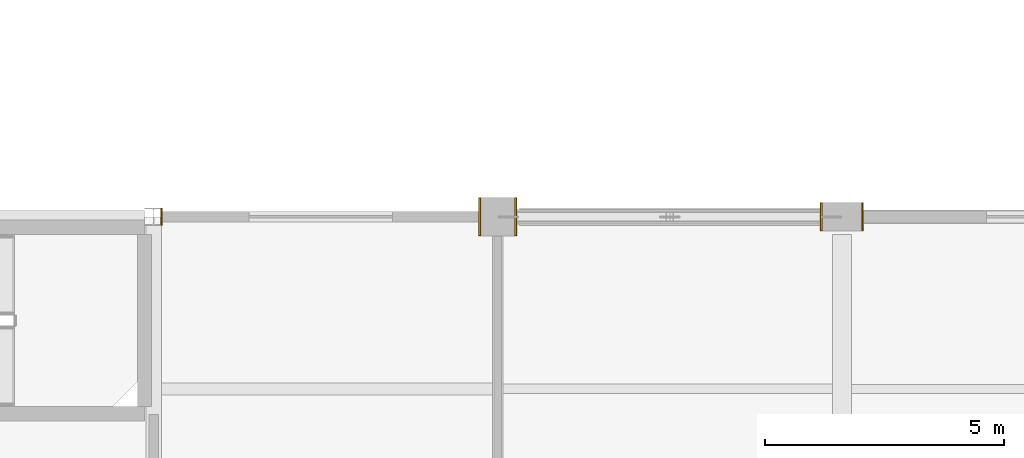
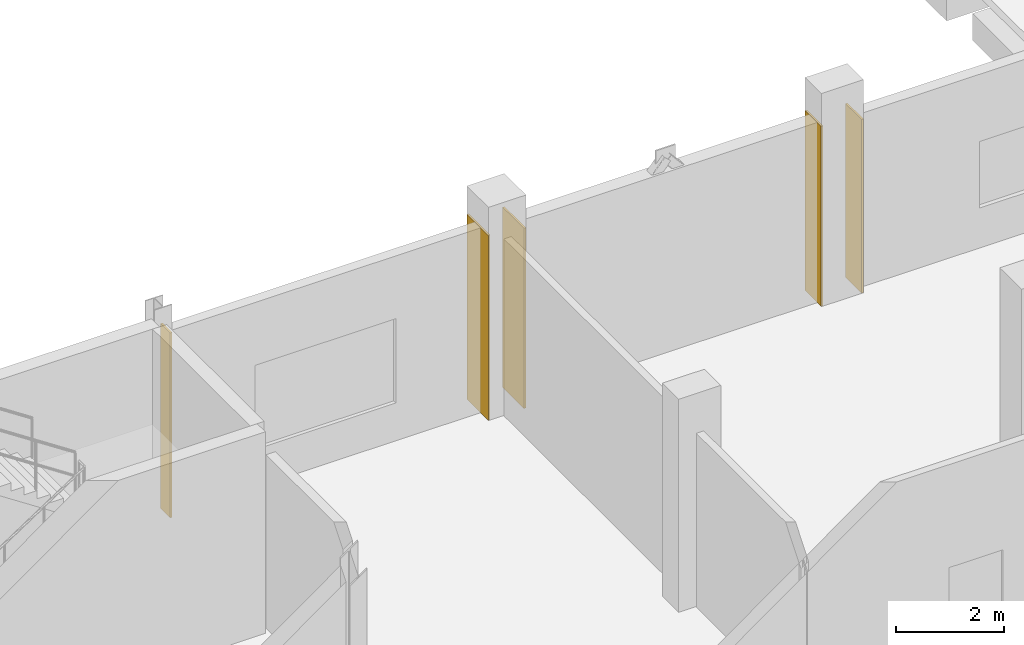
# One storey, part 182 of 186: 5 coverings.
"""IFC4 building model written with IfcOpenShell, lengths in metres."""

import ifcopenshell
import ifcopenshell.guid

model = None  # the IFC model being written
_history = None  # IfcOwnerHistory: only IFC2X3 demands one
_inside = {}  # id of a spatial element -> (the spatial element, [elements in it])
_under = {}  # id of a project, library or spatial element -> (it, [spatial elements below it])
_declared = {}  # id of a project -> (the project, [libraries it declares])
_typed = {}  # id of a type object -> (the type object, [elements of that type])
_made_of = {}  # id of a material, layer set ... -> (it, [elements and type objects made of it])


def new_model(schema):
    """Start an empty IFC model of exactly this schema.

    Asked for "IFC4X3", IfcOpenShell would pick the latest addendum, in which some entities
    have other attributes; the version numbers below select the first issue.
    IFC2X3 requires an IfcOwnerHistory on every rooted entity: one is made here for all.
    """
    global model, _history
    if schema == "IFC4X3":
        model = ifcopenshell.file(schema_version=(4, 3, 0, 0))
    else:
        model = ifcopenshell.file(schema=schema)
    _inside.clear()
    _under.clear()
    _declared.clear()
    _typed.clear()
    _made_of.clear()
    _history = None
    if model.schema == "IFC2X3":
        org = make("IfcOrganization", Name="unknown")
        user = make(
            "IfcPersonAndOrganization",
            ThePerson=make("IfcPerson", FamilyName="unknown"),
            TheOrganization=org,
        )
        app = make(
            "IfcApplication",
            ApplicationDeveloper=org,
            Version="unknown",
            ApplicationFullName="unknown",
            ApplicationIdentifier="unknown",
        )
        _history = make(
            "IfcOwnerHistory",
            OwningUser=user,
            OwningApplication=app,
            ChangeAction="ADDED",
            CreationDate=0,
        )
    return model


def make(cls, **values):
    """One entity of the class cls with the attributes given. An attribute that is None is left unset."""
    return model.create_entity(
        cls, **{name: value for name, value in values.items() if value is not None}
    )


def rooted(cls, **values):
    """An entity with a GlobalId (a new one), such as an element, a storey or a relation."""
    return make(cls, GlobalId=ifcopenshell.guid.new(), OwnerHistory=_history, **values)


def si_unit(unit_type, name, prefix=None):
    """IfcSIUnit, for example si_unit("LENGTHUNIT", "METRE", prefix="MILLI")."""
    return make("IfcSIUnit", UnitType=unit_type, Prefix=prefix, Name=name)


def assignment(units):
    """IfcUnitAssignment: the units of a project."""
    return None if units is None else make("IfcUnitAssignment", Units=units)


def point(xyz):
    """IfcCartesianPoint."""
    return None if xyz is None else make("IfcCartesianPoint", Coordinates=xyz)


def direction(xyz):
    """IfcDirection."""
    return None if xyz is None else make("IfcDirection", DirectionRatios=xyz)


def frame(location, z_axis=None, x_axis=None):
    """IfcAxis2Placement3D, a coordinate frame: its origin and axes. An axis left out is left unset."""
    return make(
        "IfcAxis2Placement3D",
        Location=point(location),
        Axis=direction(z_axis),
        RefDirection=direction(x_axis),
    )


def origin():
    """The frame at (0, 0, 0) with its axes left unset."""
    return frame((0.0, 0.0, 0.0))


def place(relative_to, where):
    """IfcLocalPlacement: puts the frame where relative to a parent placement (None: the world)."""
    return make(
        "IfcLocalPlacement", PlacementRelTo=relative_to, RelativePlacement=where
    )


def context(
    kind, dimensions, precision=None, world=None, true_north=None, identifier=None
):
    """IfcGeometricRepresentationContext, for example the 3D "Model" context."""
    return make(
        "IfcGeometricRepresentationContext",
        ContextIdentifier=identifier,
        ContextType=kind,
        CoordinateSpaceDimension=dimensions,
        Precision=precision,
        WorldCoordinateSystem=world,
        TrueNorth=true_north,
    )


def subcontext(parent, identifier, kind, view, scale=None):
    """IfcGeometricRepresentationSubContext, for example "Body" below "Model"."""
    return make(
        "IfcGeometricRepresentationSubContext",
        ContextIdentifier=identifier,
        ContextType=kind,
        ParentContext=parent,
        TargetScale=scale,
        TargetView=view,
    )


def project(units=None, contexts=None):
    """IfcProject with its units and contexts."""
    return rooted(
        "IfcProject",
        Name="project",
        RepresentationContexts=contexts,
        UnitsInContext=assignment(units),
    )


def spatial(cls, under=None, at=None, **own):
    """A site, building, storey or space (cls), placed at a placement, below another one or the project."""
    s = rooted(cls, ObjectPlacement=at, **own)
    if under is not None:
        _under.setdefault(under.id(), (under, []))[1].append(s)
    return s


def polyline(points):
    """IfcPolyline through the points."""
    return make("IfcPolyline", Points=[point(p) for p in points])


def outline(outer, holes=None, kind="AREA"):
    """IfcArbitraryClosedProfileDef: a profile drawn as a closed curve; with holes, ...WithVoids."""
    if holes is None:
        return make("IfcArbitraryClosedProfileDef", ProfileType=kind, OuterCurve=outer)
    return make(
        "IfcArbitraryProfileDefWithVoids",
        ProfileType=kind,
        OuterCurve=outer,
        InnerCurves=holes,
    )


def extrude(swept, where, along, depth):
    """IfcExtrudedAreaSolid: the profile swept, set in the frame where, extruded along a direction by depth."""
    return make(
        "IfcExtrudedAreaSolid",
        SweptArea=swept,
        Position=where,
        ExtrudedDirection=direction(along),
        Depth=depth,
    )


def shape(context_of_items, identifier, shape_type, items):
    """IfcShapeRepresentation: the items that make up one representation, for example the "Body"."""
    return make(
        "IfcShapeRepresentation",
        ContextOfItems=context_of_items,
        RepresentationIdentifier=identifier,
        RepresentationType=shape_type,
        Items=items,
    )


def material(Name=None, Category=None):
    """IfcMaterial."""
    return make("IfcMaterial", Name=Name, Category=Category)


def layer(
    of_material, thickness, ventilated=None, Name=None, Category=None, Priority=None
):
    """IfcMaterialLayer: one layer of a wall or slab, of a material (None: an air gap)."""
    return make(
        "IfcMaterialLayer",
        Material=of_material,
        LayerThickness=thickness,
        IsVentilated=ventilated,
        Name=Name,
        Category=Category,
        Priority=Priority,
    )


def layer_set(layers, Name=None):
    """IfcMaterialLayerSet."""
    return make("IfcMaterialLayerSet", MaterialLayers=layers, LayerSetName=Name)


def made_of(thing, what):
    """Note that an element or type object is made of a material, layer set ...; save() writes the relation."""
    if what is not None:
        _made_of.setdefault(what.id(), (what, []))[1].append(thing)
    return thing


def type_object(cls, material=None, **own):
    """A type object (cls), such as IfcWallType, which elements share."""
    return made_of(rooted(cls, **own), material)


def element(
    cls,
    number,
    at=None,
    inside=None,
    cuts=None,
    type_object=None,
    material=None,
    context=None,
    identifier="Body",
    shape_type=None,
    held_by="IfcProductDefinitionShape",
    body=None,
    shapes=None,
    **own,
):
    """One element of the class cls, such as IfcWall. Its Tag is "e" and its number.

    at: its placement. inside: the storey or other place that contains it. cuts: it is an
    opening in that element (IfcRelVoidsElement). A single representation is given by context,
    identifier, shape_type and body (its items); several are given by shapes. held_by: the class
    of the entity that holds the representations. save() writes the other relations.
    """
    e = rooted(cls, Tag="e%d" % number, ObjectPlacement=at, **own)
    if body is not None:
        shapes = [shape(context, identifier, shape_type, body)]
    if shapes is not None:
        e.Representation = make(held_by, Representations=shapes)
    if inside is not None:
        _inside.setdefault(inside.id(), (inside, []))[1].append(e)
    if cuts is not None:
        rooted(
            "IfcRelVoidsElement", RelatingBuildingElement=cuts, RelatedOpeningElement=e
        )
    if type_object is not None:
        _typed.setdefault(type_object.id(), (type_object, []))[1].append(e)
    return made_of(e, material)


def aggregate(whole, parts):
    """IfcRelAggregates: a whole, such as a stair, and the parts it consists of."""
    return rooted("IfcRelAggregates", RelatingObject=whole, RelatedObjects=parts)


def save(model, path):
    """Write the relations noted so far, then the file.

    IfcRelAggregates (storeys below a building ...), IfcRelContainedInSpatialStructure (elements
    in a storey), IfcRelDefinesByType, IfcRelAssociatesMaterial and IfcRelDeclares: one each for
    every whole, place, type object, material and project.
    """
    for whole, parts in _under.values():
        aggregate(whole, parts)
    for where, things in _inside.values():
        rooted(
            "IfcRelContainedInSpatialStructure",
            RelatedElements=things,
            RelatingStructure=where,
        )
    for kind, things in _typed.values():
        rooted("IfcRelDefinesByType", RelatedObjects=things, RelatingType=kind)
    for what, things in _made_of.values():
        rooted("IfcRelAssociatesMaterial", RelatedObjects=things, RelatingMaterial=what)
    for by, libraries in _declared.values():
        rooted("IfcRelDeclares", RelatingContext=by, RelatedDefinitions=libraries)
    model.write(path)


model = new_model("IFC4")

# Units and contexts
model_context = context("Model", 3, precision=1e-05, world=origin(), true_north=direction((0.0, 1.0)))
body_context = subcontext(model_context, "Body", "Model", "MODEL_VIEW")
ifc_project = project(units=[si_unit("LENGTHUNIT", "METRE"), si_unit("AREAUNIT", "SQUARE_METRE"), si_unit("VOLUMEUNIT", "CUBIC_METRE"), si_unit("PLANEANGLEUNIT", "RADIAN"), si_unit("MASSUNIT", "GRAM", prefix="KILO")], contexts=[model_context])

# Site, building, storey
site_placement = place(None, origin())
site = spatial("IfcSite", under=ifc_project, at=site_placement, CompositionType="ELEMENT")
building_placement = place(site_placement, origin())
building = spatial("IfcBuilding", under=site, at=building_placement, Name="Calvrana Isthmian Art Gallery", CompositionType="ELEMENT")
storey_placement = place(building_placement, frame((0.0, 0.0, 5.39990234375)))
storey = spatial("IfcBuildingStorey", under=building, at=storey_placement, Name="L01", CompositionType="ELEMENT", Elevation=5.39990234375)

# Coverings
ifc_material = material(Name="Polychrome glazed terracotta", Category="masonry")
ifc_layer = layer(ifc_material, 0.0400390625, Name="Polychrome glazed terracotta")
ifc_layer_set = layer_set([ifc_layer], Name="Polychrome glazed terracotta")
covering_type = type_object("IfcCoveringType", Name="COV-CLAD-TERRA", PredefinedType="CLADDING", material=ifc_layer_set)
covering_1_placement = place(storey_placement, origin())
element("IfcCovering", 1, at=covering_1_placement, inside=storey, type_object=covering_type, Name="Column pocket weather closure L01-14-13-W", PredefinedType="CLADDING", context=body_context, shape_type="SweptSolid", body=[
    extrude(outline(polyline([(112.945556640625, 98.223388671875), (112.985595703125, 98.223388671875), (112.985595703125, 98.576416015625), (112.945556640625, 98.576416015625), (112.945556640625, 98.223388671875)])), origin(), (0.0, 0.0, 1.0), 4.1640625),
])
covering_2_placement = place(storey_placement, origin())
element("IfcCovering", 2, at=covering_2_placement, inside=storey, type_object=covering_type, Name="Column pocket weather closure L01-14-13-E", PredefinedType="CLADDING", context=body_context, shape_type="SweptSolid", body=[
    extrude(outline(polyline([(119.60009765625, 98.0048828125), (119.639892578125, 98.0048828125), (119.639892578125, 98.794921875), (119.60009765625, 98.794921875), (119.60009765625, 98.0048828125)])), origin(), (0.0, 0.0, 1.0), 4.1640625),
])
covering_3_placement = place(storey_placement, origin())
element("IfcCovering", 3, at=covering_3_placement, inside=storey, type_object=covering_type, Name="Column pocket weather closure L01-15-13-W", PredefinedType="CLADDING", context=body_context, shape_type="SweptSolid", body=[
    extrude(outline(polyline([(120.360107421875, 98.0048828125), (120.39990234375, 98.0048828125), (120.39990234375, 98.794921875), (120.360107421875, 98.794921875), (120.360107421875, 98.0048828125)])), origin(), (0.0, 0.0, 1.0), 4.05810546875),
])
covering_4_placement = place(storey_placement, origin())
element("IfcCovering", 4, at=covering_4_placement, inside=storey, type_object=covering_type, Name="Column pocket weather closure L01-15-13-E", PredefinedType="CLADDING", context=body_context, shape_type="SweptSolid", body=[
    extrude(outline(polyline([(126.75, 98.10498046875), (126.7900390625, 98.10498046875), (126.7900390625, 98.695068359375), (126.75, 98.695068359375), (126.75, 98.10498046875)])), origin(), (0.0, 0.0, 1.0), 4.05810546875),
])
covering_5_placement = place(storey_placement, origin())
element("IfcCovering", 5, at=covering_5_placement, inside=storey, type_object=covering_type, Name="Column pocket weather closure L01-16-13-W", PredefinedType="CLADDING", context=body_context, shape_type="SweptSolid", body=[
    extrude(outline(polyline([(127.610107421875, 98.10498046875), (127.64990234375, 98.10498046875), (127.64990234375, 98.695068359375), (127.610107421875, 98.695068359375), (127.610107421875, 98.10498046875)])), origin(), (0.0, 0.0, 1.0), 3.9130859375),
])

save(model, "model.ifc")
